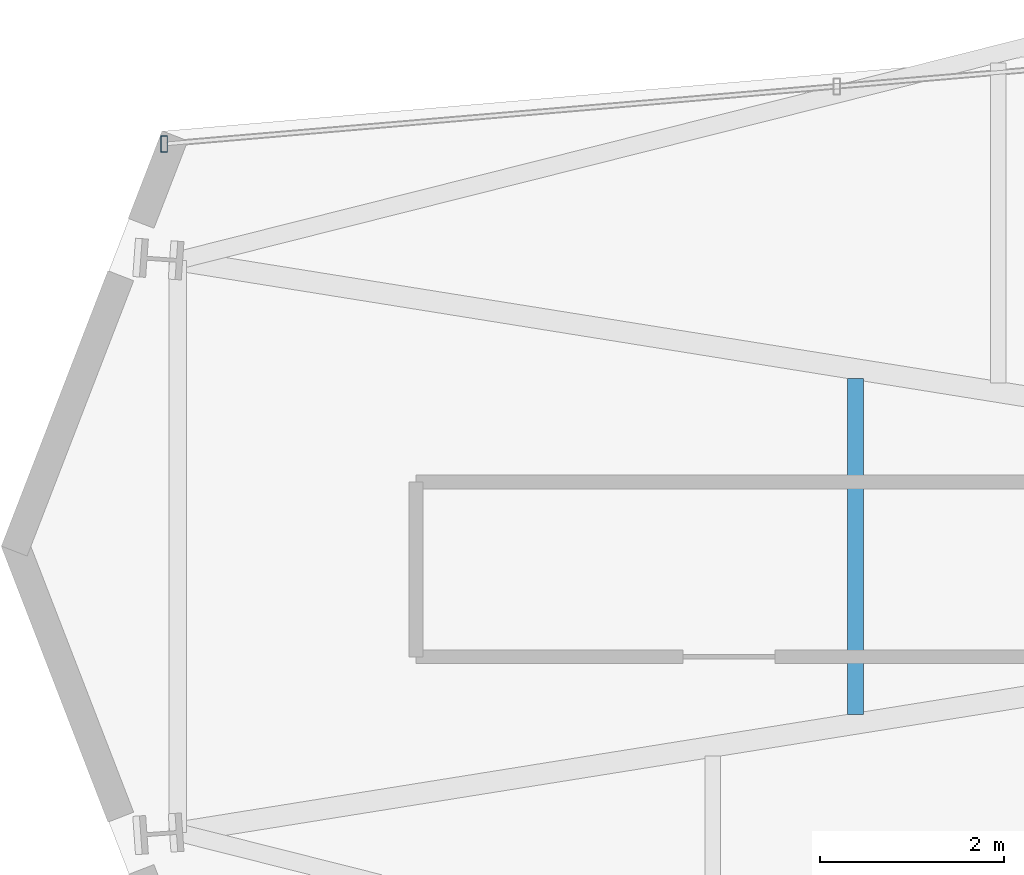
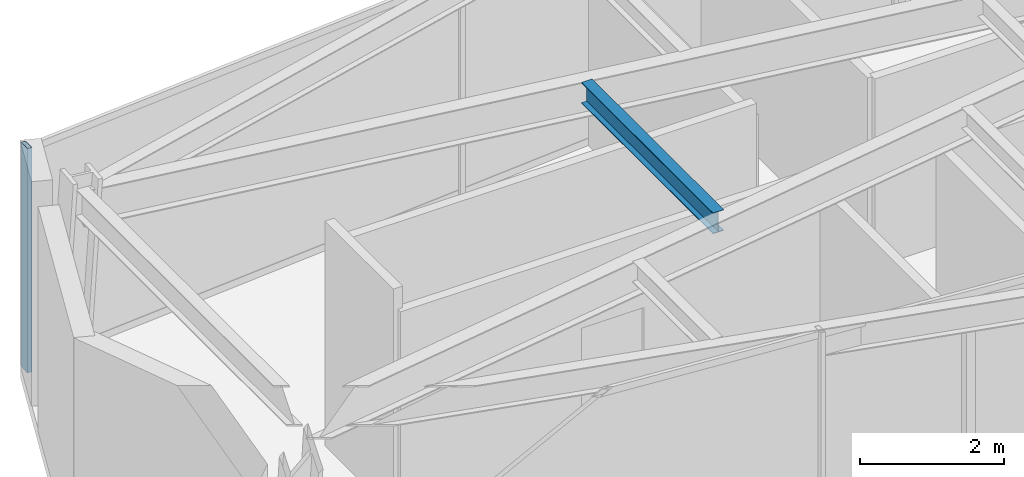
# One storey, part 7 of 26: 1 beam, 1 member, 1 element without a shape of its own.
"""IFC4 building model written with IfcOpenShell, lengths in metres."""

from ifc_helpers import new_model, si_unit, direction, frame, origin, origin_2d, place, context, subcontext, project, spatial, hollow_rectangle, i_section, extrude, material, layer, layer_set, material_profile, profile_set, type_object, element, aggregate, save


model = new_model("IFC4")

# Units and contexts
model_context = context("Model", 3, precision=1e-05, world=origin(), true_north=direction((0.0, 1.0)))
body_context = subcontext(model_context, "Body", "Model", "MODEL_VIEW")
ifc_project = project(units=[si_unit("LENGTHUNIT", "METRE"), si_unit("AREAUNIT", "SQUARE_METRE"), si_unit("VOLUMEUNIT", "CUBIC_METRE"), si_unit("PLANEANGLEUNIT", "RADIAN"), si_unit("MASSUNIT", "GRAM", prefix="KILO")], contexts=[model_context])

# Site, building, storey
site_placement = place(None, origin())
site = spatial("IfcSite", under=ifc_project, at=site_placement, CompositionType="ELEMENT")
building_placement = place(site_placement, origin())
building = spatial("IfcBuilding", under=site, at=building_placement, Name="Veymaron Broadcast Tower", CompositionType="ELEMENT")
storey_placement = place(building_placement, frame((0.0, 0.0, 157.35009765625)))
storey = spatial("IfcBuildingStorey", under=building, at=storey_placement, Name="L36", CompositionType="ELEMENT", Elevation=157.35009765625)

# Beam
ifc_material_1 = material(Name="Structural steel ASTM A992 Gr 50", Category="steel")
ifc_material_profile_1 = material_profile(ifc_material_1, i_section(OverallWidth=0.1708984375, OverallDepth=0.35498046875, WebThickness=0.007080078125, FlangeThickness=0.01171875, at=origin_2d()), Name="W360X51")
ifc_profile_set_1 = profile_set([ifc_material_profile_1], Name="Structural steel ASTM A992 Gr 50")
beam_type = type_object("IfcBeamType", Name="BM-JS2", PredefinedType="JOIST", material=ifc_profile_set_1)
beam_placement = place(storey_placement, frame((19.173095703125, 22.171875, 3.63232421875), z_axis=(0.0, 1.0, 0.0), x_axis=(-1.0, 0.0, 0.0)))
element("IfcBeam", 1, at=beam_placement, inside=storey, type_object=beam_type, Name="L36 Arm-A secondary joist 1M", PredefinedType="JOIST", context=body_context, shape_type="SweptSolid", body=[
    extrude(i_section(OverallWidth=0.1708984375, OverallDepth=0.35498046875, WebThickness=0.007080078125, FlangeThickness=0.01171875, at=origin_2d()), origin(), (0.0, 0.0, 1.0), 3.65625),
])

# Curtain wall, member
ifc_material_2 = material(Name="Anodised aluminium AA 6063-T6 and laminated low-E dark glass", Category="aluminium")
ifc_layer = layer(ifc_material_2, 0.179931640625)
ifc_layer_set = layer_set([ifc_layer], Name="Anodised aluminium AA 6063-T6 and laminated low-E dark glass")
curtain_wall_type = type_object("IfcCurtainWallType", Name="CW-SYS-03", PredefinedType="NOTDEFINED", material=ifc_layer_set)
curtain_wall_placement = place(storey_placement, origin())
curtain_wall = element("IfcCurtainWall", 2, at=curtain_wall_placement, inside=storey, type_object=curtain_wall_type, Name="L36 dark-glass curtain wall CW-L36-E11-1", PredefinedType="NOTDEFINED")
ifc_material_3 = material(Name="Anodised aluminium AA 6063-T6", Category="aluminium")
ifc_material_profile_2 = material_profile(ifc_material_3, hollow_rectangle(XDim=0.074951171875, YDim=0.179931640625, WallThickness=0.0048828125, at=origin_2d()), Name="AL180X75X5")
ifc_profile_set_2 = profile_set([ifc_material_profile_2], Name="Anodised aluminium AA 6063-T6")
member_type = type_object("IfcMemberType", Name="CW-MUL-02", PredefinedType="MULLION", material=ifc_profile_set_2)
member_placement = place(storey_placement, frame((11.652099609375, 28.37646484375, 0.0), z_axis=(0.0, 0.0, 1.0), x_axis=(1.0, 0.0, 0.0)))
member = element("IfcMember", 3, at=member_placement, type_object=member_type, Name="CW-L36-E11-1 mullion 2", PredefinedType="MULLION", context=body_context, shape_type="SweptSolid", body=[
    extrude(hollow_rectangle(XDim=0.074951171875, YDim=0.179931640625, WallThickness=0.0048828125, at=origin_2d()), origin(), (0.0, 0.0, 1.0), 3.809814453125),
])
aggregate(curtain_wall, [member])

save(model, "model.ifc")
